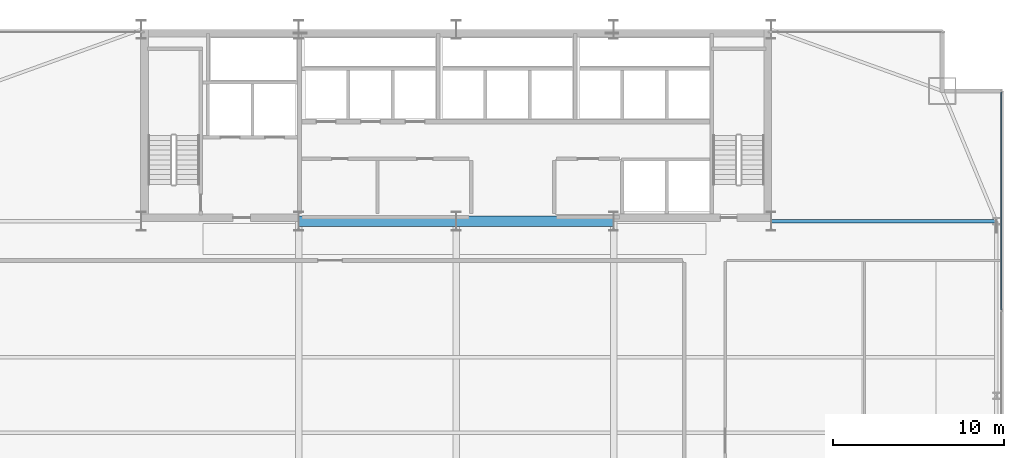
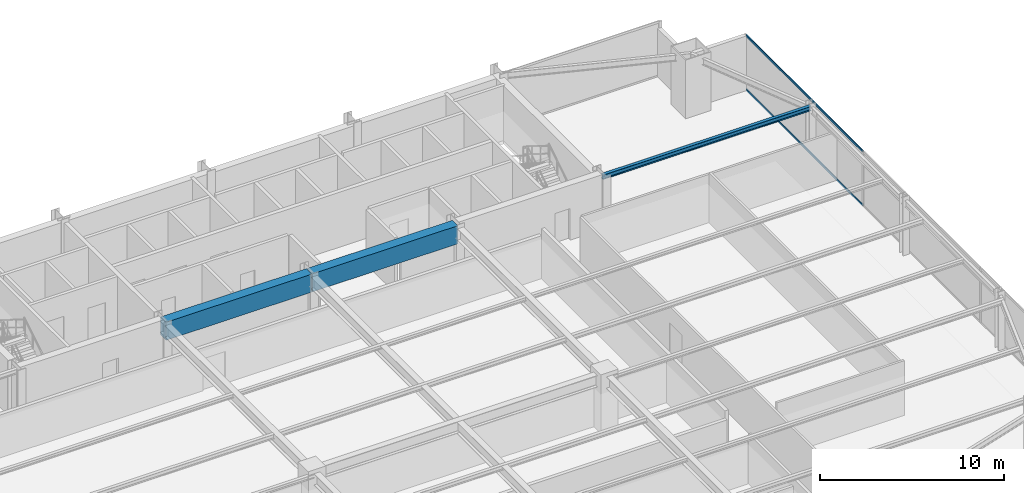
# One storey, part 21 of 31: 3 beams, 2 members, 1 element without a shape of its own.
"""IFC4 building model written with IfcOpenShell, lengths in metres."""

from ifc_helpers import new_model, si_unit, direction, frame, origin, origin_2d, place, context, subcontext, project, spatial, rectangle, hollow_rectangle, i_section, extrude, source, transform, mapped, material, layer, layer_set, material_profile, profile_set, type_object, type_shapes, element, aggregate, save


model = new_model("IFC4")

# Units and contexts
model_context = context("Model", 3, precision=1e-05, world=origin(), true_north=direction((0.0, 1.0)))
body_context = subcontext(model_context, "Body", "Model", "MODEL_VIEW")
ifc_project = project(units=[si_unit("LENGTHUNIT", "METRE"), si_unit("AREAUNIT", "SQUARE_METRE"), si_unit("VOLUMEUNIT", "CUBIC_METRE"), si_unit("PLANEANGLEUNIT", "RADIAN"), si_unit("MASSUNIT", "GRAM", prefix="KILO")], contexts=[model_context])

# Site, building, storey
site_placement = place(None, origin())
site = spatial("IfcSite", under=ifc_project, at=site_placement, CompositionType="ELEMENT")
building_placement = place(site_placement, origin())
building = spatial("IfcBuilding", under=site, at=building_placement, Name="Varnel Quay Broadcast Tower", CompositionType="ELEMENT")
storey_placement = place(building_placement, frame((0.0, 0.0, 39.300048828125)))
storey = spatial("IfcBuildingStorey", under=building, at=storey_placement, Name="L08", CompositionType="ELEMENT", Elevation=39.300048828125)

# Beams
ifc_material_1 = material(Name="Concrete CSA A23.3 C60/75", Category="concrete")
ifc_material_profile_1 = material_profile(ifc_material_1, rectangle(XDim=0.60009765625, YDim=1.199951171875, at=origin_2d()), Name="RC600X1200")
ifc_profile_set_1 = profile_set([ifc_material_profile_1], Name="Concrete CSA A23.3 C60/75")
beam_type_1 = type_object("IfcBeamType", Name="Beam_RC600X1200", PredefinedType="BEAM", material=ifc_profile_set_1)
shared_shape_1 = source(origin(), body_context, "Body", "SweptSolid", [
    extrude(rectangle(XDim=0.60009765625, YDim=1.199951171875, at=origin_2d()), origin(), (0.0, 0.0, 1.0), 9.159912109375),
])
type_shapes(beam_type_1, [shared_shape_1])
for number, where, z_axis, x_axis, name in (
    (1, (24.820068359375, 35.60009765625, 3.050048828125), (1.0, 0.0, 0.0), (0.0, 1.0, 0.0), "L08 Core Coupling Beam W"),
    (2, (34.02001953125, 35.60009765625, 3.050048828125), (1.0, 0.0, 0.0), (0.0, 1.0, 0.0), "L08 Core Coupling Beam E"),
):
    element("IfcBeam", number, at=place(storey_placement, frame(where, z_axis=z_axis, x_axis=x_axis)), inside=storey, type_object=beam_type_1, Name=name, PredefinedType="BEAM", context=body_context, shape_type="MappedRepresentation", body=[
        mapped(shared_shape_1, transform((0.0, 0.0, 0.0), x_axis=(1.0, 0.0, 0.0), y_axis=(0.0, 1.0, 0.0), z_axis=(0.0, 0.0, 1.0), scale=1.0)),
    ])
ifc_material_2 = material(Name="Structural Steel CSA G40.21 350W", Category="steel")
ifc_material_profile_2 = material_profile(ifc_material_2, i_section(OverallWidth=0.202880859375, OverallDepth=0.302978515625, WebThickness=0.007568359375, FlangeThickness=0.01318359375, FilletRadius=0.011962890625, at=origin_2d()), Name="W310X60")
ifc_profile_set_2 = profile_set([ifc_material_profile_2], Name="Structural Steel CSA G40.21 350W")
beam_type_2 = type_object("IfcBeamType", Name="Beam_W310X60", PredefinedType="JOIST", material=ifc_profile_set_2)
shared_shape_2 = source(origin(), body_context, "Body", "SweptSolid", [
    extrude(i_section(OverallWidth=0.202880859375, OverallDepth=0.302978515625, WebThickness=0.007568359375, FlangeThickness=0.01318359375, FilletRadius=0.011962890625, at=origin_2d()), origin(), (0.0, 0.0, 1.0), 13.110107421875),
])
type_shapes(beam_type_2, [shared_shape_2])
beam_placement = place(storey_placement, frame((52.419921875, 35.60009765625, 3.49853515625), z_axis=(1.0, 0.0, 0.0), x_axis=(0.0, 1.0, 0.0)))
element("IfcBeam", 3, at=beam_placement, inside=storey, type_object=beam_type_2, Name="L08 East Core Tie Joist", PredefinedType="JOIST", context=body_context, shape_type="MappedRepresentation", body=[
    mapped(shared_shape_2, transform((0.0, 0.0, 0.0), x_axis=(1.0, 0.0, 0.0), y_axis=(0.0, 1.0, 0.0), z_axis=(0.0, 0.0, 1.0), scale=1.0)),
])

# Curtain wall, members
ifc_material_3 = material(Name="Anodised Bronze Aluminium 6063-T6", Category="aluminium")
ifc_layer = layer(ifc_material_3, 0.18994140625, Name="Anodised Bronze Aluminium 6063-T6")
ifc_layer_set = layer_set([ifc_layer], Name="Anodised Bronze Aluminium 6063-T6")
curtain_wall_type = type_object("IfcCurtainWallType", Name="CW_LowerTower", PredefinedType="NOTDEFINED", material=ifc_layer_set)
curtain_wall_placement = place(storey_placement, origin())
curtain_wall = element("IfcCurtainWall", 4, at=curtain_wall_placement, inside=storey, type_object=curtain_wall_type, Name="L08 East Unitised Curtain Wall", PredefinedType="NOTDEFINED")
ifc_material_profile_3 = material_profile(ifc_material_3, hollow_rectangle(XDim=0.06005859375, YDim=0.14501953125, WallThickness=0.00341796875, at=origin_2d()), Name="ALU60X145X3.5")
ifc_profile_set_3 = profile_set([ifc_material_profile_3], Name="Anodised Bronze Aluminium 6063-T6")
member_type = type_object("IfcMemberType", Name="Tran_CWS-02", PredefinedType="USERDEFINED", material=ifc_profile_set_3)
shared_shape_3 = source(origin(), body_context, "Body", "SweptSolid", [
    extrude(hollow_rectangle(XDim=0.06005859375, YDim=0.14501953125, WallThickness=0.00341796875, at=origin_2d()), origin(), (0.0, 0.0, 1.0), 12.69482421875),
])
type_shapes(member_type, [shared_shape_3])
member_1_placement = place(storey_placement, frame((65.85009765625, 30.43505859375, 0.030029296875), z_axis=(0.0, 1.0, 0.0), x_axis=(-1.0, 0.0, 0.0)))
member_1 = element("IfcMember", 5, at=member_1_placement, type_object=member_type, Name="CWS-02 transom 3.1", ObjectType="TRANSOM", PredefinedType="USERDEFINED", context=body_context, shape_type="MappedRepresentation", body=[
    mapped(shared_shape_3, transform((0.0, 0.0, 0.0), x_axis=(1.0, 0.0, 0.0), y_axis=(0.0, 1.0, 0.0), z_axis=(0.0, 0.0, 1.0), scale=1.0)),
])
member_2_placement = place(storey_placement, frame((65.85009765625, 30.43505859375, 3.619873046875), z_axis=(0.0, 1.0, 0.0), x_axis=(-1.0, 0.0, 0.0)))
member_2 = element("IfcMember", 6, at=member_2_placement, type_object=member_type, Name="CWS-02 transom 3.2", ObjectType="TRANSOM", PredefinedType="USERDEFINED", context=body_context, shape_type="MappedRepresentation", body=[
    mapped(shared_shape_3, transform((0.0, 0.0, 0.0), x_axis=(1.0, 0.0, 0.0), y_axis=(0.0, 1.0, 0.0), z_axis=(0.0, 0.0, 1.0), scale=1.0)),
])
aggregate(curtain_wall, [member_1, member_2])

save(model, "model.ifc")
